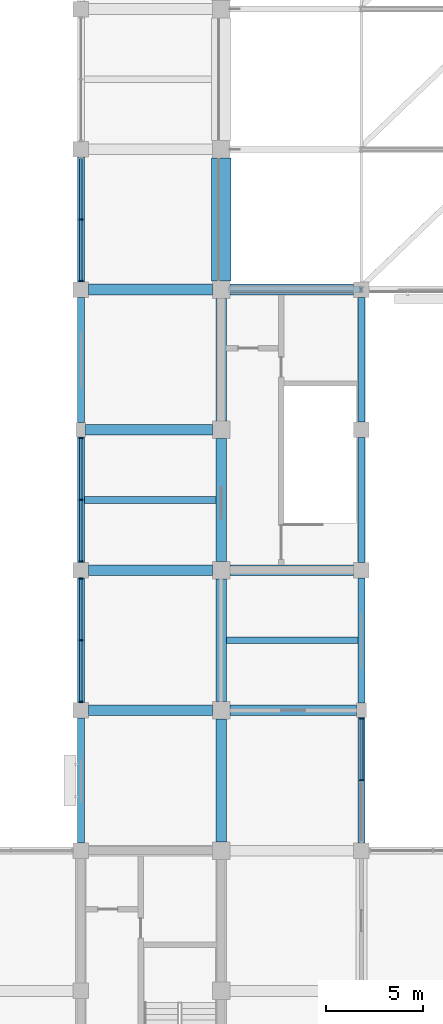
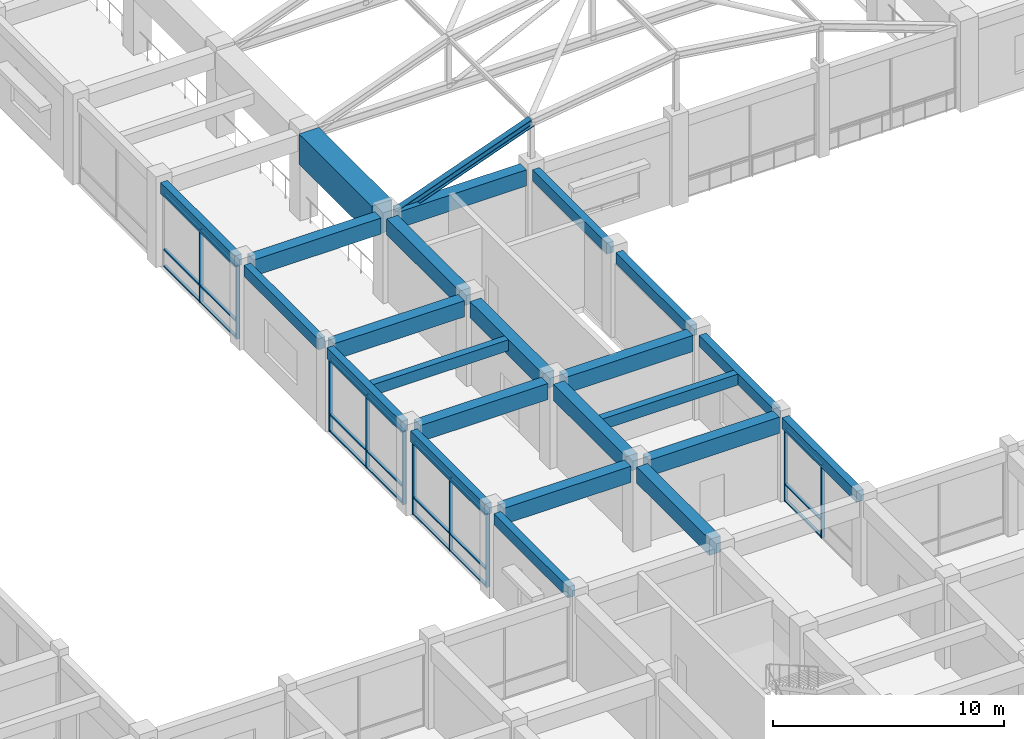
# One storey, part 34 of 75: 32 members, 23 beams, 4 elements without a shape of their own.
"""IFC4 building model written with IfcOpenShell, lengths in metres."""

from ifc_helpers import new_model, si_unit, direction, frame, origin, origin_2d, place, context, subcontext, project, spatial, rectangle, i_section, extrude, material, layer, layer_set, material_profile, profile_set, type_object, element, aggregate, save


model = new_model("IFC4")

# Units and contexts
model_context = context("Model", 3, precision=1e-05, world=origin(), true_north=direction((0.0, 1.0)))
body_context = subcontext(model_context, "Body", "Model", "MODEL_VIEW")
ifc_project = project(units=[si_unit("LENGTHUNIT", "METRE"), si_unit("AREAUNIT", "SQUARE_METRE"), si_unit("VOLUMEUNIT", "CUBIC_METRE"), si_unit("PLANEANGLEUNIT", "RADIAN"), si_unit("MASSUNIT", "GRAM", prefix="KILO")], contexts=[model_context])

# Site, building, storey
site_placement = place(None, origin())
site = spatial("IfcSite", under=ifc_project, at=site_placement, CompositionType="ELEMENT")
building_placement = place(site_placement, origin())
building = spatial("IfcBuilding", under=site, at=building_placement, Name="Cendaluz Park School", CompositionType="ELEMENT")
storey_placement = place(building_placement, frame((0.0, 0.0, 4.800048828125)))
storey = spatial("IfcBuildingStorey", under=building, at=storey_placement, Name="L01", CompositionType="ELEMENT", Elevation=4.800048828125)

# Beams
ifc_material_1 = material(Name="Concrete C40/50", Category="concrete")
ifc_material_profile_1 = material_profile(ifc_material_1, rectangle(XDim=0.550048828125, YDim=0.85009765625, at=origin_2d()), Name="RC 550x850", Category="concrete")
ifc_profile_set_1 = profile_set([ifc_material_profile_1], Name="Concrete C40/50")
beam_type_1 = type_object("IfcBeamType", Name="BM-RC01", PredefinedType="BEAM", material=ifc_profile_set_1)
for number, where, z_axis, x_axis, name in (
    (1, (130.0, 36.0, 4.0048828125), (1.0, 0.0, 0.0), (0.0, 1.0, 0.0), "BM-L01-BMRC01-0161"),
    (2, (130.0, 43.199951171875, 4.0048828125), (1.0, 0.0, 0.0), (0.0, 1.0, 0.0), "BM-L01-BMRC01-0162"),
):
    element("IfcBeam", number, at=place(storey_placement, frame(where, z_axis=z_axis, x_axis=x_axis)), inside=storey, type_object=beam_type_1, Name=name, PredefinedType="BEAM", context=body_context, shape_type="SweptSolid", body=[
        extrude(rectangle(XDim=0.550048828125, YDim=0.85009765625, at=origin_2d()), origin(), (0.0, 0.0, 1.0), 6.35009765625),
    ])
beam_1_placement = place(storey_placement, frame((129.85009765625, 50.39990234375, 4.0048828125), z_axis=(1.0, 0.0, 0.0), x_axis=(0.0, 1.0, 0.0)))
element("IfcBeam", 3, at=beam_1_placement, inside=storey, type_object=beam_type_1, Name="BM-L01-BMRC01-0163", PredefinedType="BEAM", context=body_context, shape_type="SweptSolid", body=[
    extrude(rectangle(XDim=0.550048828125, YDim=0.85009765625, at=origin_2d()), origin(), (0.0, 0.0, 1.0), 6.5),
])
beam_2_placement = place(storey_placement, frame((130.0, 57.60009765625, 4.0048828125), z_axis=(1.0, 0.0, 0.0), x_axis=(0.0, 1.0, 0.0)))
element("IfcBeam", 4, at=beam_2_placement, inside=storey, type_object=beam_type_1, Name="BM-L01-BMRC01-0164", PredefinedType="BEAM", context=body_context, shape_type="SweptSolid", body=[
    extrude(rectangle(XDim=0.550048828125, YDim=0.85009765625, at=origin_2d()), origin(), (0.0, 0.0, 1.0), 6.35009765625),
])
beam_3_placement = place(storey_placement, frame((137.25, 36.0, 4.0048828125), z_axis=(1.0, 0.0, 0.0), x_axis=(0.0, 1.0, 0.0)))
element("IfcBeam", 5, at=beam_3_placement, inside=storey, type_object=beam_type_1, Name="BM-L01-BMRC01-0178", PredefinedType="BEAM", context=body_context, shape_type="SweptSolid", body=[
    extrude(rectangle(XDim=0.550048828125, YDim=0.85009765625, at=origin_2d()), origin(), (0.0, 0.0, 1.0), 6.5),
])
for number, where, z_axis, x_axis, name in (
    (6, (137.25, 43.199951171875, 4.0048828125), (1.0, 0.0, 0.0), (0.0, 1.0, 0.0), "BM-L01-BMRC01-0179"),
    (7, (137.25, 57.60009765625, 4.0048828125), (1.0, 0.0, 0.0), (0.0, 1.0, 0.0), "BM-L01-BMRC01-0180"),
):
    element("IfcBeam", number, at=place(storey_placement, frame(where, z_axis=z_axis, x_axis=x_axis)), inside=storey, type_object=beam_type_1, Name=name, PredefinedType="BEAM", context=body_context, shape_type="SweptSolid", body=[
        extrude(rectangle(XDim=0.550048828125, YDim=0.85009765625, at=origin_2d()), origin(), (0.0, 0.0, 1.0), 6.35009765625),
    ])
for number, where, z_axis, x_axis, name in (
    (8, (136.800048828125, 29.25, 4.0048828125), (0.0, 1.0, 0.0), (-1.0, 0.0, 0.0), "BM-L01-BMRC01-0407"),
    (9, (136.800048828125, 36.449951171875, 4.0048828125), (0.0, 1.0, 0.0), (-1.0, 0.0, 0.0), "BM-L01-BMRC01-0408"),
    (10, (136.800048828125, 43.64990234375, 4.0048828125), (0.0, 1.0, 0.0), (-1.0, 0.0, 0.0), "BM-L01-BMRC01-0409"),
):
    element("IfcBeam", number, at=place(storey_placement, frame(where, z_axis=z_axis, x_axis=x_axis)), inside=storey, type_object=beam_type_1, Name=name, PredefinedType="BEAM", context=body_context, shape_type="SweptSolid", body=[
        extrude(rectangle(XDim=0.550048828125, YDim=0.85009765625, at=origin_2d()), origin(), (0.0, 0.0, 1.0), 6.300048828125),
    ])
beam_4_placement = place(storey_placement, frame((136.800048828125, 50.85009765625, 4.0048828125), z_axis=(0.0, 1.0, 0.0), x_axis=(-1.0, 0.0, 0.0)))
element("IfcBeam", 11, at=beam_4_placement, inside=storey, type_object=beam_type_1, Name="BM-L01-BMRC01-0410", PredefinedType="BEAM", context=body_context, shape_type="SweptSolid", body=[
    extrude(rectangle(XDim=0.550048828125, YDim=0.85009765625, at=origin_2d()), origin(), (0.0, 0.0, 1.0), 6.2998046875),
])
ifc_material_profile_2 = material_profile(ifc_material_1, rectangle(XDim=0.35009765625, YDim=0.580078125, at=origin_2d()), Name="RC 350x580", Category="concrete")
ifc_profile_set_2 = profile_set([ifc_material_profile_2], Name="Concrete C40/50")
beam_type_2 = type_object("IfcBeamType", Name="BM-RC04", PredefinedType="LINTEL", material=ifc_profile_set_2)
for number, where, z_axis, x_axis, name in (
    (12, (129.60009765625, 29.199951171875, 4.139892578125), (0.0, 1.0, 0.0), (-1.0, 0.0, 0.0), "BM-L01-BMRC04-0391"),
    (13, (129.60009765625, 36.39990234375, 4.139892578125), (0.0, 1.0, 0.0), (-1.0, 0.0, 0.0), "BM-L01-BMRC04-0392"),
):
    element("IfcBeam", number, at=place(storey_placement, frame(where, z_axis=z_axis, x_axis=x_axis)), inside=storey, type_object=beam_type_2, Name=name, PredefinedType="LINTEL", context=body_context, shape_type="SweptSolid", body=[
        extrude(rectangle(XDim=0.35009765625, YDim=0.580078125, at=origin_2d()), origin(), (0.0, 0.0, 1.0), 6.400146484375),
    ])
beam_5_placement = place(storey_placement, frame((129.60009765625, 43.60009765625, 4.139892578125), z_axis=(0.0, 1.0, 0.0), x_axis=(-1.0, 0.0, 0.0)))
element("IfcBeam", 14, at=beam_5_placement, inside=storey, type_object=beam_type_2, Name="BM-L01-BMRC04-0393", PredefinedType="LINTEL", context=body_context, shape_type="SweptSolid", body=[
    extrude(rectangle(XDim=0.35009765625, YDim=0.580078125, at=origin_2d()), origin(), (0.0, 0.0, 1.0), 6.4248046875),
])
beam_6_placement = place(storey_placement, frame((129.60009765625, 50.77490234375, 4.139892578125), z_axis=(0.0, 1.0, 0.0), x_axis=(-1.0, 0.0, 0.0)))
element("IfcBeam", 15, at=beam_6_placement, inside=storey, type_object=beam_type_2, Name="BM-L01-BMRC04-0394", PredefinedType="LINTEL", context=body_context, shape_type="SweptSolid", body=[
    extrude(rectangle(XDim=0.35009765625, YDim=0.580078125, at=origin_2d()), origin(), (0.0, 0.0, 1.0), 6.425048828125),
])
beam_7_placement = place(storey_placement, frame((129.60009765625, 58.0, 4.139892578125), z_axis=(0.0, 1.0, 0.0), x_axis=(-1.0, 0.0, 0.0)))
element("IfcBeam", 16, at=beam_7_placement, inside=storey, type_object=beam_type_2, Name="BM-L01-BMRC04-0395", PredefinedType="LINTEL", context=body_context, shape_type="SweptSolid", body=[
    extrude(rectangle(XDim=0.35009765625, YDim=0.580078125, at=origin_2d()), origin(), (0.0, 0.0, 1.0), 6.39990234375),
])
for number, where, z_axis, x_axis, name in (
    (17, (144.0, 29.199951171875, 4.139892578125), (0.0, 1.0, 0.0), (-1.0, 0.0, 0.0), "BM-L01-BMRC04-0423"),
    (18, (144.0, 36.375, 4.139892578125), (0.0, 1.0, 0.0), (-1.0, 0.0, 0.0), "BM-L01-BMRC04-0424"),
):
    element("IfcBeam", number, at=place(storey_placement, frame(where, z_axis=z_axis, x_axis=x_axis)), inside=storey, type_object=beam_type_2, Name=name, PredefinedType="LINTEL", context=body_context, shape_type="SweptSolid", body=[
        extrude(rectangle(XDim=0.35009765625, YDim=0.580078125, at=origin_2d()), origin(), (0.0, 0.0, 1.0), 6.425048828125),
    ])
for number, where, z_axis, x_axis, name in (
    (19, (144.0, 43.60009765625, 4.139892578125), (0.0, 1.0, 0.0), (-1.0, 0.0, 0.0), "BM-L01-BMRC04-0425"),
    (20, (144.0, 50.800048828125, 4.139892578125), (0.0, 1.0, 0.0), (-1.0, 0.0, 0.0), "BM-L01-BMRC04-0426"),
):
    element("IfcBeam", number, at=place(storey_placement, frame(where, z_axis=z_axis, x_axis=x_axis)), inside=storey, type_object=beam_type_2, Name=name, PredefinedType="LINTEL", context=body_context, shape_type="SweptSolid", body=[
        extrude(rectangle(XDim=0.35009765625, YDim=0.580078125, at=origin_2d()), origin(), (0.0, 0.0, 1.0), 6.39990234375),
    ])

# Curtain wall, members
ifc_material_2 = material(Name="Anodised Aluminium 6063-T6", Category="aluminium")
ifc_layer = layer(ifc_material_2, 0.179931640625)
ifc_layer_set = layer_set([ifc_layer], Name="Anodised Aluminium 6063-T6")
curtain_wall_type = type_object("IfcCurtainWallType", Name="CW-128x77", PredefinedType="NOTDEFINED", material=ifc_layer_set)
curtain_wall_1_placement = place(storey_placement, origin())
curtain_wall_1 = element("IfcCurtainWall", 21, at=curtain_wall_1_placement, inside=storey, type_object=curtain_wall_type, Name="CW-L01-060", PredefinedType="NOTDEFINED")
ifc_material_profile_3 = material_profile(ifc_material_2, rectangle(XDim=0.179931640625, YDim=0.070068359375, at=origin_2d()), Name="CWM 180x70", Category="aluminium")
ifc_profile_set_3 = profile_set([ifc_material_profile_3], Name="Anodised Aluminium 6063-T6")
member_type_1 = type_object("IfcMemberType", Name="CWM-01", PredefinedType="MULLION", material=ifc_profile_set_3)
member_1_placement = place(storey_placement, frame((129.60009765625, 36.43505859375, 0.0), z_axis=(0.0, 0.0, 1.0), x_axis=(-1.0, 0.0, 0.0)))
member_1 = element("IfcMember", 22, at=member_1_placement, type_object=member_type_1, Name="CP-L01-0768", PredefinedType="MULLION", context=body_context, shape_type="SweptSolid", body=[
    extrude(rectangle(XDim=0.179931640625, YDim=0.070068359375, at=origin_2d()), origin(), (0.0, 0.0, 1.0), 3.849853515625),
])
member_2_placement = place(storey_placement, frame((129.60009765625, 39.60009765625, 0.0), z_axis=(0.0, 0.0, 1.0), x_axis=(-1.0, 0.0, 0.0)))
member_2 = element("IfcMember", 23, at=member_2_placement, type_object=member_type_1, Name="CP-L01-0769", PredefinedType="MULLION", context=body_context, shape_type="SweptSolid", body=[
    extrude(rectangle(XDim=0.179931640625, YDim=0.070068359375, at=origin_2d()), origin(), (0.0, 0.0, 1.0), 3.849853515625),
])
member_3_placement = place(storey_placement, frame((129.60009765625, 42.764892578125, 0.0), z_axis=(0.0, 0.0, 1.0), x_axis=(-1.0, 0.0, 0.0)))
member_3 = element("IfcMember", 24, at=member_3_placement, type_object=member_type_1, Name="CP-L01-0770", PredefinedType="MULLION", context=body_context, shape_type="SweptSolid", body=[
    extrude(rectangle(XDim=0.179931640625, YDim=0.070068359375, at=origin_2d()), origin(), (0.0, 0.0, 1.0), 3.849853515625),
])

curtain_wall_2_placement = place(storey_placement, origin())
curtain_wall_2 = element("IfcCurtainWall", 25, at=curtain_wall_2_placement, inside=storey, type_object=curtain_wall_type, Name="CW-L01-061", PredefinedType="NOTDEFINED")
member_4_placement = place(storey_placement, frame((129.60009765625, 43.635009765625, 0.0), z_axis=(0.0, 0.0, 1.0), x_axis=(-1.0, 0.0, 0.0)))
member_4 = element("IfcMember", 26, at=member_4_placement, type_object=member_type_1, Name="CP-L01-0781", PredefinedType="MULLION", context=body_context, shape_type="SweptSolid", body=[
    extrude(rectangle(XDim=0.179931640625, YDim=0.070068359375, at=origin_2d()), origin(), (0.0, 0.0, 1.0), 3.849853515625),
])
member_5_placement = place(storey_placement, frame((129.60009765625, 46.8125, 0.0), z_axis=(0.0, 0.0, 1.0), x_axis=(-1.0, 0.0, 0.0)))
member_5 = element("IfcMember", 27, at=member_5_placement, type_object=member_type_1, Name="CP-L01-0782", PredefinedType="MULLION", context=body_context, shape_type="SweptSolid", body=[
    extrude(rectangle(XDim=0.179931640625, YDim=0.070068359375, at=origin_2d()), origin(), (0.0, 0.0, 1.0), 3.849853515625),
])
member_6_placement = place(storey_placement, frame((129.60009765625, 49.989990234375, 0.0), z_axis=(0.0, 0.0, 1.0), x_axis=(-1.0, 0.0, 0.0)))
member_6 = element("IfcMember", 28, at=member_6_placement, type_object=member_type_1, Name="CP-L01-0783", PredefinedType="MULLION", context=body_context, shape_type="SweptSolid", body=[
    extrude(rectangle(XDim=0.179931640625, YDim=0.070068359375, at=origin_2d()), origin(), (0.0, 0.0, 1.0), 3.849853515625),
])

curtain_wall_3_placement = place(storey_placement, origin())
curtain_wall_3 = element("IfcCurtainWall", 29, at=curtain_wall_3_placement, inside=storey, type_object=curtain_wall_type, Name="CW-L01-062", PredefinedType="NOTDEFINED")
member_7_placement = place(storey_placement, frame((129.60009765625, 58.034912109375, 0.0), z_axis=(0.0, 0.0, 1.0), x_axis=(-1.0, 0.0, 0.0)))
member_7 = element("IfcMember", 30, at=member_7_placement, type_object=member_type_1, Name="CP-L01-0794", PredefinedType="MULLION", context=body_context, shape_type="SweptSolid", body=[
    extrude(rectangle(XDim=0.179931640625, YDim=0.070068359375, at=origin_2d()), origin(), (0.0, 0.0, 1.0), 3.849853515625),
])
member_8_placement = place(storey_placement, frame((129.60009765625, 61.199951171875, 0.0), z_axis=(0.0, 0.0, 1.0), x_axis=(-1.0, 0.0, 0.0)))
member_8 = element("IfcMember", 31, at=member_8_placement, type_object=member_type_1, Name="CP-L01-0795", PredefinedType="MULLION", context=body_context, shape_type="SweptSolid", body=[
    extrude(rectangle(XDim=0.179931640625, YDim=0.070068359375, at=origin_2d()), origin(), (0.0, 0.0, 1.0), 3.849853515625),
])

curtain_wall_4_placement = place(storey_placement, origin())
curtain_wall_4 = element("IfcCurtainWall", 32, at=curtain_wall_4_placement, inside=storey, type_object=curtain_wall_type, Name="CW-L01-068", PredefinedType="NOTDEFINED")
member_9_placement = place(storey_placement, frame((144.0, 32.41259765625, 0.0), z_axis=(0.0, 0.0, 1.0), x_axis=(-1.0, 0.0, 0.0)))
member_9 = element("IfcMember", 33, at=member_9_placement, type_object=member_type_1, Name="CP-L01-0873", PredefinedType="MULLION", context=body_context, shape_type="SweptSolid", body=[
    extrude(rectangle(XDim=0.179931640625, YDim=0.070068359375, at=origin_2d()), origin(), (0.0, 0.0, 1.0), 3.849853515625),
])
member_10_placement = place(storey_placement, frame((144.0, 35.590087890625, 0.0), z_axis=(0.0, 0.0, 1.0), x_axis=(-1.0, 0.0, 0.0)))
member_10 = element("IfcMember", 34, at=member_10_placement, type_object=member_type_1, Name="CP-L01-0874", PredefinedType="MULLION", context=body_context, shape_type="SweptSolid", body=[
    extrude(rectangle(XDim=0.179931640625, YDim=0.070068359375, at=origin_2d()), origin(), (0.0, 0.0, 1.0), 3.849853515625),
])

# Member
ifc_material_profile_4 = material_profile(ifc_material_2, rectangle(XDim=0.139892578125, YDim=0.070068359375, at=origin_2d()), Name="CWT 140x70", Category="aluminium")
ifc_profile_set_4 = profile_set([ifc_material_profile_4], Name="Anodised Aluminium 6063-T6")
member_type_2 = type_object("IfcMemberType", Name="CWT-01", PredefinedType="USERDEFINED", material=ifc_profile_set_4)
member_11_placement = place(storey_placement, frame((129.60009765625, 36.469970703125, 0.034912109375), z_axis=(0.0, 1.0, 0.0), x_axis=(-1.0, 0.0, 0.0)))
member_11 = element("IfcMember", 35, at=member_11_placement, type_object=member_type_2, Name="CP-L01-0771", ObjectType="TRANSOM", PredefinedType="USERDEFINED", context=body_context, shape_type="SweptSolid", body=[
    extrude(rectangle(XDim=0.139892578125, YDim=0.070068359375, at=origin_2d()), origin(), (0.0, 0.0, 1.0), 3.094970703125),
])

member_12_placement = place(storey_placement, frame((129.60009765625, 36.469970703125, 0.89990234375), z_axis=(0.0, 1.0, 0.0), x_axis=(-1.0, 0.0, 0.0)))
member_12 = element("IfcMember", 36, at=member_12_placement, type_object=member_type_2, Name="CP-L01-0772", ObjectType="TRANSOM", PredefinedType="USERDEFINED", context=body_context, shape_type="SweptSolid", body=[
    extrude(rectangle(XDim=0.139892578125, YDim=0.070068359375, at=origin_2d()), origin(), (0.0, 0.0, 1.0), 3.094970703125),
])

member_13_placement = place(storey_placement, frame((129.60009765625, 36.469970703125, 3.81494140625), z_axis=(0.0, 1.0, 0.0), x_axis=(-1.0, 0.0, 0.0)))
member_13 = element("IfcMember", 37, at=member_13_placement, type_object=member_type_2, Name="CP-L01-0773", ObjectType="TRANSOM", PredefinedType="USERDEFINED", context=body_context, shape_type="SweptSolid", body=[
    extrude(rectangle(XDim=0.139892578125, YDim=0.070068359375, at=origin_2d()), origin(), (0.0, 0.0, 1.0), 3.094970703125),
])

member_14_placement = place(storey_placement, frame((129.60009765625, 39.635009765625, 0.034912109375), z_axis=(0.0, 1.0, 0.0), x_axis=(-1.0, 0.0, 0.0)))
member_14 = element("IfcMember", 38, at=member_14_placement, type_object=member_type_2, Name="CP-L01-0776", ObjectType="TRANSOM", PredefinedType="USERDEFINED", context=body_context, shape_type="SweptSolid", body=[
    extrude(rectangle(XDim=0.139892578125, YDim=0.070068359375, at=origin_2d()), origin(), (0.0, 0.0, 1.0), 3.094970703125),
])

member_15_placement = place(storey_placement, frame((129.60009765625, 39.635009765625, 0.89990234375), z_axis=(0.0, 1.0, 0.0), x_axis=(-1.0, 0.0, 0.0)))
member_15 = element("IfcMember", 39, at=member_15_placement, type_object=member_type_2, Name="CP-L01-0777", ObjectType="TRANSOM", PredefinedType="USERDEFINED", context=body_context, shape_type="SweptSolid", body=[
    extrude(rectangle(XDim=0.139892578125, YDim=0.070068359375, at=origin_2d()), origin(), (0.0, 0.0, 1.0), 3.094970703125),
])

member_16_placement = place(storey_placement, frame((129.60009765625, 39.635009765625, 3.81494140625), z_axis=(0.0, 1.0, 0.0), x_axis=(-1.0, 0.0, 0.0)))
member_16 = element("IfcMember", 40, at=member_16_placement, type_object=member_type_2, Name="CP-L01-0778", ObjectType="TRANSOM", PredefinedType="USERDEFINED", context=body_context, shape_type="SweptSolid", body=[
    extrude(rectangle(XDim=0.139892578125, YDim=0.070068359375, at=origin_2d()), origin(), (0.0, 0.0, 1.0), 3.094970703125),
])

aggregate(curtain_wall_1, [member_1, member_2, member_3, member_11, member_12, member_13, member_14, member_15, member_16])

member_17_placement = place(storey_placement, frame((129.60009765625, 43.669921875, 0.034912109375), z_axis=(0.0, 1.0, 0.0), x_axis=(-1.0, 0.0, 0.0)))
member_17 = element("IfcMember", 41, at=member_17_placement, type_object=member_type_2, Name="CP-L01-0784", ObjectType="TRANSOM", PredefinedType="USERDEFINED", context=body_context, shape_type="SweptSolid", body=[
    extrude(rectangle(XDim=0.139892578125, YDim=0.070068359375, at=origin_2d()), origin(), (0.0, 0.0, 1.0), 3.107666015625),
])

member_18_placement = place(storey_placement, frame((129.60009765625, 43.669921875, 0.89990234375), z_axis=(0.0, 1.0, 0.0), x_axis=(-1.0, 0.0, 0.0)))
member_18 = element("IfcMember", 42, at=member_18_placement, type_object=member_type_2, Name="CP-L01-0785", ObjectType="TRANSOM", PredefinedType="USERDEFINED", context=body_context, shape_type="SweptSolid", body=[
    extrude(rectangle(XDim=0.139892578125, YDim=0.070068359375, at=origin_2d()), origin(), (0.0, 0.0, 1.0), 3.107666015625),
])

member_19_placement = place(storey_placement, frame((129.60009765625, 43.669921875, 3.81494140625), z_axis=(0.0, 1.0, 0.0), x_axis=(-1.0, 0.0, 0.0)))
member_19 = element("IfcMember", 43, at=member_19_placement, type_object=member_type_2, Name="CP-L01-0786", ObjectType="TRANSOM", PredefinedType="USERDEFINED", context=body_context, shape_type="SweptSolid", body=[
    extrude(rectangle(XDim=0.139892578125, YDim=0.070068359375, at=origin_2d()), origin(), (0.0, 0.0, 1.0), 3.107666015625),
])

member_20_placement = place(storey_placement, frame((129.60009765625, 46.847412109375, 0.034912109375), z_axis=(0.0, 1.0, 0.0), x_axis=(-1.0, 0.0, 0.0)))
member_20 = element("IfcMember", 44, at=member_20_placement, type_object=member_type_2, Name="CP-L01-0789", ObjectType="TRANSOM", PredefinedType="USERDEFINED", context=body_context, shape_type="SweptSolid", body=[
    extrude(rectangle(XDim=0.139892578125, YDim=0.070068359375, at=origin_2d()), origin(), (0.0, 0.0, 1.0), 3.107666015625),
])

member_21_placement = place(storey_placement, frame((129.60009765625, 46.847412109375, 0.89990234375), z_axis=(0.0, 1.0, 0.0), x_axis=(-1.0, 0.0, 0.0)))
member_21 = element("IfcMember", 45, at=member_21_placement, type_object=member_type_2, Name="CP-L01-0790", ObjectType="TRANSOM", PredefinedType="USERDEFINED", context=body_context, shape_type="SweptSolid", body=[
    extrude(rectangle(XDim=0.139892578125, YDim=0.070068359375, at=origin_2d()), origin(), (0.0, 0.0, 1.0), 3.107666015625),
])

member_22_placement = place(storey_placement, frame((129.60009765625, 46.847412109375, 3.81494140625), z_axis=(0.0, 1.0, 0.0), x_axis=(-1.0, 0.0, 0.0)))
member_22 = element("IfcMember", 46, at=member_22_placement, type_object=member_type_2, Name="CP-L01-0791", ObjectType="TRANSOM", PredefinedType="USERDEFINED", context=body_context, shape_type="SweptSolid", body=[
    extrude(rectangle(XDim=0.139892578125, YDim=0.070068359375, at=origin_2d()), origin(), (0.0, 0.0, 1.0), 3.107666015625),
])

aggregate(curtain_wall_2, [member_4, member_5, member_6, member_17, member_18, member_19, member_20, member_21, member_22])

member_23_placement = place(storey_placement, frame((129.60009765625, 58.070068359375, 0.034912109375), z_axis=(0.0, 1.0, 0.0), x_axis=(-1.0, 0.0, 0.0)))
member_23 = element("IfcMember", 47, at=member_23_placement, type_object=member_type_2, Name="CP-L01-0797", ObjectType="TRANSOM", PredefinedType="USERDEFINED", context=body_context, shape_type="SweptSolid", body=[
    extrude(rectangle(XDim=0.139892578125, YDim=0.070068359375, at=origin_2d()), origin(), (0.0, 0.0, 1.0), 3.094970703125),
])

member_24_placement = place(storey_placement, frame((129.60009765625, 58.070068359375, 0.89990234375), z_axis=(0.0, 1.0, 0.0), x_axis=(-1.0, 0.0, 0.0)))
member_24 = element("IfcMember", 48, at=member_24_placement, type_object=member_type_2, Name="CP-L01-0798", ObjectType="TRANSOM", PredefinedType="USERDEFINED", context=body_context, shape_type="SweptSolid", body=[
    extrude(rectangle(XDim=0.139892578125, YDim=0.070068359375, at=origin_2d()), origin(), (0.0, 0.0, 1.0), 3.094970703125),
])

member_25_placement = place(storey_placement, frame((129.60009765625, 58.070068359375, 3.81494140625), z_axis=(0.0, 1.0, 0.0), x_axis=(-1.0, 0.0, 0.0)))
member_25 = element("IfcMember", 49, at=member_25_placement, type_object=member_type_2, Name="CP-L01-0799", ObjectType="TRANSOM", PredefinedType="USERDEFINED", context=body_context, shape_type="SweptSolid", body=[
    extrude(rectangle(XDim=0.139892578125, YDim=0.070068359375, at=origin_2d()), origin(), (0.0, 0.0, 1.0), 3.094970703125),
])

member_26_placement = place(storey_placement, frame((129.60009765625, 61.235107421875, 0.034912109375), z_axis=(0.0, 1.0, 0.0), x_axis=(-1.0, 0.0, 0.0)))
member_26 = element("IfcMember", 50, at=member_26_placement, type_object=member_type_2, Name="CP-L01-0802", ObjectType="TRANSOM", PredefinedType="USERDEFINED", context=body_context, shape_type="SweptSolid", body=[
    extrude(rectangle(XDim=0.139892578125, YDim=0.070068359375, at=origin_2d()), origin(), (0.0, 0.0, 1.0), 3.094970703125),
])

member_27_placement = place(storey_placement, frame((129.60009765625, 61.235107421875, 0.89990234375), z_axis=(0.0, 1.0, 0.0), x_axis=(-1.0, 0.0, 0.0)))
member_27 = element("IfcMember", 51, at=member_27_placement, type_object=member_type_2, Name="CP-L01-0803", ObjectType="TRANSOM", PredefinedType="USERDEFINED", context=body_context, shape_type="SweptSolid", body=[
    extrude(rectangle(XDim=0.139892578125, YDim=0.070068359375, at=origin_2d()), origin(), (0.0, 0.0, 1.0), 3.094970703125),
])

member_28_placement = place(storey_placement, frame((129.60009765625, 61.235107421875, 3.81494140625), z_axis=(0.0, 1.0, 0.0), x_axis=(-1.0, 0.0, 0.0)))
member_28 = element("IfcMember", 52, at=member_28_placement, type_object=member_type_2, Name="CP-L01-0804", ObjectType="TRANSOM", PredefinedType="USERDEFINED", context=body_context, shape_type="SweptSolid", body=[
    extrude(rectangle(XDim=0.139892578125, YDim=0.070068359375, at=origin_2d()), origin(), (0.0, 0.0, 1.0), 3.094970703125),
])

aggregate(curtain_wall_3, [member_7, member_8, member_23, member_24, member_25, member_26, member_27, member_28])

member_29_placement = place(storey_placement, frame((144.0, 32.447509765625, 0.034912109375), z_axis=(0.0, 1.0, 0.0), x_axis=(-1.0, 0.0, 0.0)))
member_29 = element("IfcMember", 53, at=member_29_placement, type_object=member_type_2, Name="CP-L01-0880", ObjectType="TRANSOM", PredefinedType="USERDEFINED", context=body_context, shape_type="SweptSolid", body=[
    extrude(rectangle(XDim=0.139892578125, YDim=0.070068359375, at=origin_2d()), origin(), (0.0, 0.0, 1.0), 3.107421875),
])

member_30_placement = place(storey_placement, frame((144.0, 32.447509765625, 0.89990234375), z_axis=(0.0, 1.0, 0.0), x_axis=(-1.0, 0.0, 0.0)))
member_30 = element("IfcMember", 54, at=member_30_placement, type_object=member_type_2, Name="CP-L01-0881", ObjectType="TRANSOM", PredefinedType="USERDEFINED", context=body_context, shape_type="SweptSolid", body=[
    extrude(rectangle(XDim=0.139892578125, YDim=0.070068359375, at=origin_2d()), origin(), (0.0, 0.0, 1.0), 3.107421875),
])

member_31_placement = place(storey_placement, frame((144.0, 32.447509765625, 3.81494140625), z_axis=(0.0, 1.0, 0.0), x_axis=(-1.0, 0.0, 0.0)))
member_31 = element("IfcMember", 55, at=member_31_placement, type_object=member_type_2, Name="CP-L01-0882", ObjectType="TRANSOM", PredefinedType="USERDEFINED", context=body_context, shape_type="SweptSolid", body=[
    extrude(rectangle(XDim=0.139892578125, YDim=0.070068359375, at=origin_2d()), origin(), (0.0, 0.0, 1.0), 3.107421875),
])

aggregate(curtain_wall_4, [member_9, member_10, member_29, member_30, member_31])

# Beams
ifc_material_profile_5 = material_profile(ifc_material_1, rectangle(XDim=0.35009765625, YDim=0.580078125, at=origin_2d()), Name="RC 350x580", Category="concrete")
ifc_profile_set_5 = profile_set([ifc_material_profile_5], Name="Concrete C40/50")
beam_type_3 = type_object("IfcBeamType", Name="JT-RC01", PredefinedType="JOIST", material=ifc_profile_set_5)
for number, where, z_axis, x_axis, name in (
    (56, (129.77490234375, 46.800048828125, 4.139892578125), (1.0, 0.0, 0.0), (0.0, 1.0, 0.0), "BM-L01-JTRC01-0509"),
    (57, (137.074951171875, 39.60009765625, 4.139892578125), (1.0, 0.0, 0.0), (0.0, 1.0, 0.0), "BM-L01-JTRC01-0514"),
):
    element("IfcBeam", number, at=place(storey_placement, frame(where, z_axis=z_axis, x_axis=x_axis)), inside=storey, type_object=beam_type_3, Name=name, PredefinedType="JOIST", context=body_context, shape_type="SweptSolid", body=[
        extrude(rectangle(XDim=0.35009765625, YDim=0.580078125, at=origin_2d()), origin(), (0.0, 0.0, 1.0), 6.75),
    ])

# Member
ifc_material_3 = material(Name="Steel S355", Category="steel")
ifc_material_profile_6 = material_profile(ifc_material_3, i_section(OverallWidth=0.300048828125, OverallDepth=0.39990234375, WebThickness=0.013916015625, FlangeThickness=0.02392578125, FilletRadius=0.027099609375, at=origin_2d()), Name="HEB 400", Category="steel")
ifc_profile_set_6 = profile_set([ifc_material_profile_6], Name="Steel S355")
member_type_3 = type_object("IfcMemberType", Name="MB-CH01", PredefinedType="CHORD", material=ifc_profile_set_6)
member_32_placement = place(storey_placement, frame((137.25, 57.60009765625, 4.219970703125), z_axis=(0.939102267455, 0.0, 0.343637790793), x_axis=(0.0, 1.0, 0.0)))
element("IfcMember", 58, at=member_32_placement, inside=storey, type_object=member_type_3, Name="MB-L01-MBCH01-0088", PredefinedType="CHORD", context=body_context, shape_type="SweptSolid", body=[
    extrude(i_section(OverallWidth=0.300048828125, OverallDepth=0.39990234375, WebThickness=0.013916015625, FlangeThickness=0.02392578125, FilletRadius=0.027099609375, at=origin_2d()), origin(), (0.0, 0.0, 1.0), 7.187744140625),
])

# Beam
ifc_material_profile_7 = material_profile(ifc_material_1, rectangle(XDim=1.0, YDim=1.60009765625, at=origin_2d()), Name="RC 1000x1600", Category="concrete")
ifc_profile_set_7 = profile_set([ifc_material_profile_7], Name="Concrete C40/50")
beam_type_4 = type_object("IfcBeamType", Name="TG-RC01", PredefinedType="BEAM", material=ifc_profile_set_7)
beam_8_placement = place(storey_placement, frame((136.800048828125, 58.050048828125, 3.820068359375), z_axis=(0.0, 1.0, 0.0), x_axis=(-1.0, 0.0, 0.0)))
element("IfcBeam", 59, at=beam_8_placement, inside=storey, type_object=beam_type_4, Name="Barrel Vault Collector Girder BM-L01-TGRC01-0411", PredefinedType="BEAM", context=body_context, shape_type="SweptSolid", body=[
    extrude(rectangle(XDim=1.0, YDim=1.60009765625, at=origin_2d()), origin(), (0.0, 0.0, 1.0), 6.300048828125),
])

save(model, "model.ifc")
